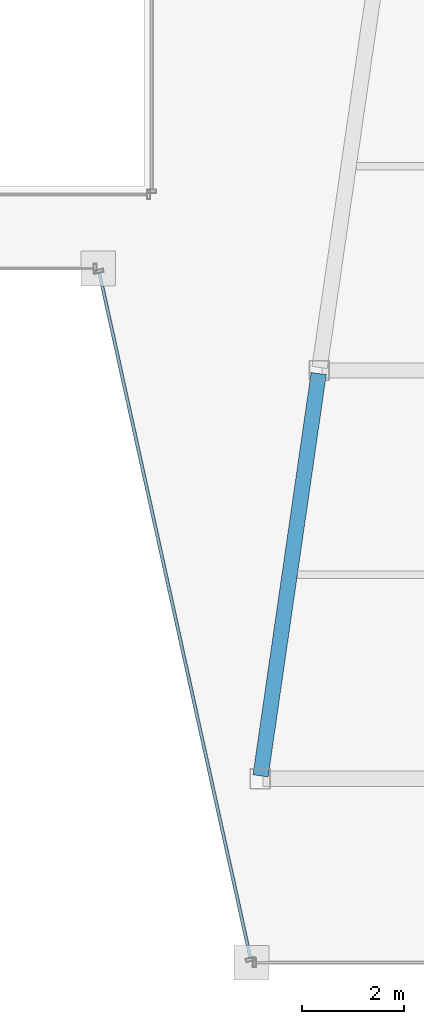
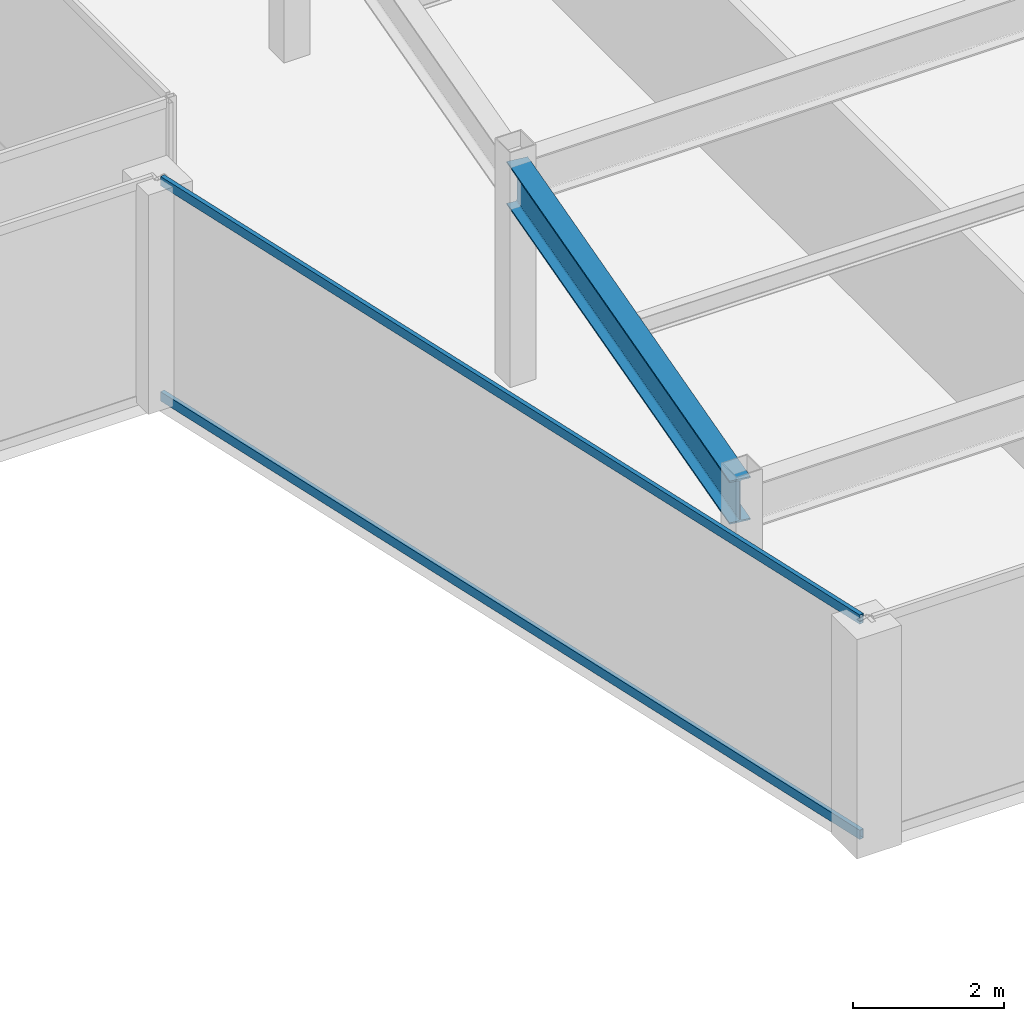
# One storey, part 17 of 35: 2 members, 1 beam, 1 element without a shape of its own.
"""IFC4 building model written with IfcOpenShell, lengths in metres."""

from ifc_helpers import new_model, si_unit, direction, frame, origin, origin_2d, place, context, subcontext, project, spatial, hollow_rectangle, i_section, extrude, material, material_profile, profile_set, type_object, element, aggregate, save


model = new_model("IFC4")

# Units and contexts
model_context = context("Model", 3, precision=1e-05, world=origin(), true_north=direction((0.0, 1.0)))
body_context = subcontext(model_context, "Body", "Model", "MODEL_VIEW")
ifc_project = project(units=[si_unit("LENGTHUNIT", "METRE"), si_unit("AREAUNIT", "SQUARE_METRE"), si_unit("VOLUMEUNIT", "CUBIC_METRE"), si_unit("PLANEANGLEUNIT", "RADIAN"), si_unit("MASSUNIT", "GRAM", prefix="KILO")], contexts=[model_context])

# Site, building, storey
site_placement = place(None, origin())
site = spatial("IfcSite", under=ifc_project, at=site_placement, CompositionType="ELEMENT")
building_placement = place(site_placement, origin())
building = spatial("IfcBuilding", under=site, at=building_placement, Name="Saevonmaru Cultural Tower", CompositionType="ELEMENT")
storey_placement = place(building_placement, frame((0.0, 0.0, 213.199951171875)))
storey = spatial("IfcBuildingStorey", under=building, at=storey_placement, Name="L49", CompositionType="ELEMENT", Elevation=213.199951171875)

# Beam
ifc_material_1 = material(Name="Steel SM355", Category="steel")
ifc_material_profile_1 = material_profile(ifc_material_1, i_section(OverallWidth=0.300048828125, OverallDepth=0.699951171875, WebThickness=0.012939453125, FlangeThickness=0.02392578125, FilletRadius=0.02587890625, at=origin_2d()), Name="H-700x300x13x24")
ifc_profile_set_1 = profile_set([ifc_material_profile_1], Name="Steel SM355")
beam_type = type_object("IfcBeamType", Name="BM-G-H700", PredefinedType="BEAM", material=ifc_profile_set_1)
beam_placement = place(storey_placement, frame((38.08056640625, 16.059326171875, 3.199951171875), z_axis=(0.143022161059, 0.989719486241, 0.0), x_axis=(-0.989719486241, 0.143022161059, 0.0)))
element("IfcBeam", 1, at=beam_placement, inside=storey, type_object=beam_type, Name="L49 East Atrium Girder 1", PredefinedType="BEAM", context=body_context, shape_type="SweptSolid", body=[
    extrude(i_section(OverallWidth=0.300048828125, OverallDepth=0.699951171875, WebThickness=0.012939453125, FlangeThickness=0.02392578125, FilletRadius=0.02587890625, at=origin_2d()), origin(), (0.0, 0.0, 1.0), 7.963134765625),
])

# Curtain wall, members
ifc_material_2 = material(Name="Satin Bronze Anodised Aluminium", Category="aluminium")
curtain_wall_type = type_object("IfcCurtainWallType", Name="CW-TYP-B", PredefinedType="NOTDEFINED", material=ifc_material_2)
curtain_wall_placement = place(storey_placement, origin())
curtain_wall = element("IfcCurtainWall", 2, at=curtain_wall_placement, inside=storey, type_object=curtain_wall_type, Name="L49 Unitised Curtain Wall E5", PredefinedType="NOTDEFINED")
ifc_material_profile_2 = material_profile(ifc_material_2, hollow_rectangle(XDim=0.06494140625, YDim=0.14990234375, WallThickness=0.00390625, at=origin_2d()), Name="ALU-TRAN-150x65x4")
ifc_profile_set_2 = profile_set([ifc_material_profile_2], Name="Satin Bronze Anodised Aluminium")
member_type = type_object("IfcMemberType", Name="TR-CW-150x65", PredefinedType="USERDEFINED", material=ifc_profile_set_2)
member_1_placement = place(storey_placement, frame((34.922119140625, 25.90966796875, 0.032470703125), z_axis=(0.21541214732, -0.976523223885, 0.0), x_axis=(0.976523223885, 0.21541214732, 0.0)))
member_1 = element("IfcMember", 3, at=member_1_placement, type_object=member_type, Name="CW-TW-L49-E5 transom 1.1", ObjectType="TRANSOM", PredefinedType="USERDEFINED", context=body_context, shape_type="SweptSolid", body=[
    extrude(hollow_rectangle(XDim=0.06494140625, YDim=0.14990234375, WallThickness=0.00390625, at=origin_2d()), origin(), (0.0, 0.0, 1.0), 13.741943359375),
])
member_2_placement = place(storey_placement, frame((34.922119140625, 25.90966796875, 3.517578125), z_axis=(0.21541214732, -0.976523223885, 0.0), x_axis=(0.976523223885, 0.21541214732, 0.0)))
member_2 = element("IfcMember", 4, at=member_2_placement, type_object=member_type, Name="CW-TW-L49-E5 transom 1.2", ObjectType="TRANSOM", PredefinedType="USERDEFINED", context=body_context, shape_type="SweptSolid", body=[
    extrude(hollow_rectangle(XDim=0.06494140625, YDim=0.14990234375, WallThickness=0.00390625, at=origin_2d()), origin(), (0.0, 0.0, 1.0), 13.741943359375),
])
aggregate(curtain_wall, [member_1, member_2])

save(model, "model.ifc")
